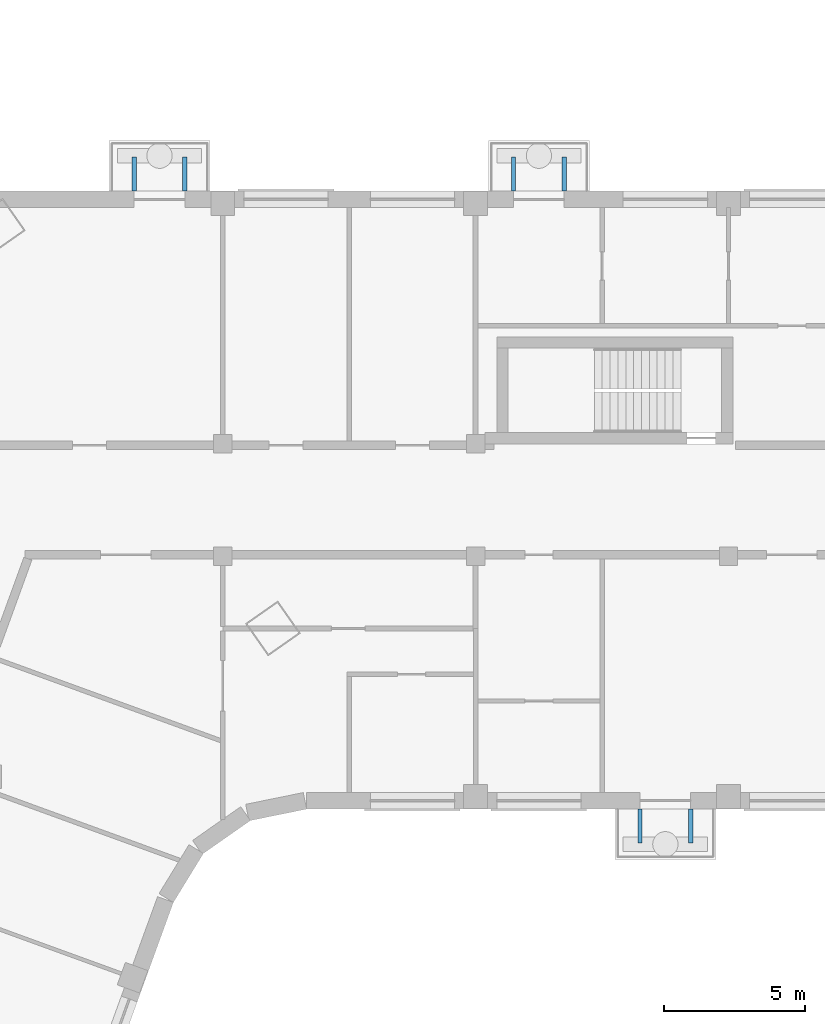
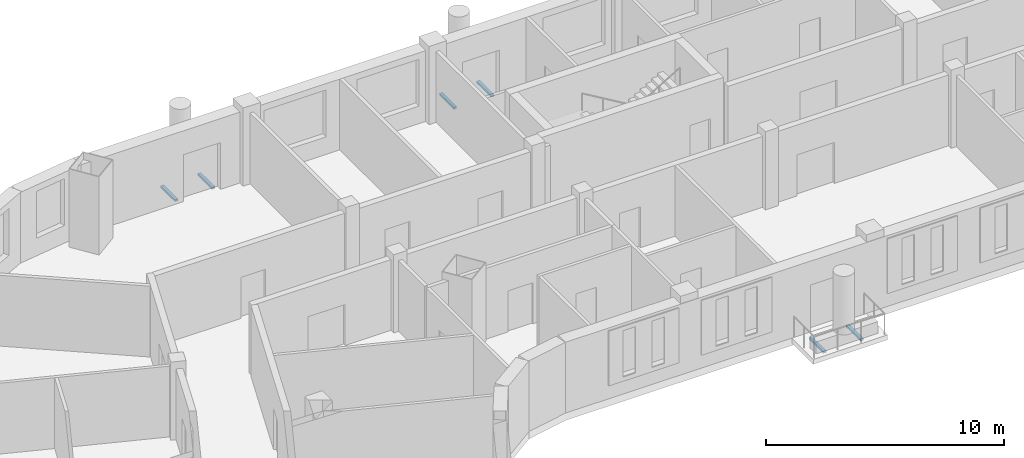
# One storey, part 10 of 13: 6 discrete accessories.
"""IFC4 building model written with IfcOpenShell, lengths in metres."""

from ifc_helpers import new_model, si_unit, direction, frame, origin, origin_2d, place, context, subcontext, project, spatial, rectangle, extrude, element, save


model = new_model("IFC4")

# Units and contexts
model_context = context("Model", 3, precision=1e-05, world=origin(), true_north=direction((0.0, 1.0)))
body_context = subcontext(model_context, "Body", "Model", "MODEL_VIEW")
ifc_project = project(units=[si_unit("LENGTHUNIT", "METRE"), si_unit("AREAUNIT", "SQUARE_METRE"), si_unit("VOLUMEUNIT", "CUBIC_METRE"), si_unit("PLANEANGLEUNIT", "RADIAN"), si_unit("MASSUNIT", "GRAM", prefix="KILO")], contexts=[model_context])

# Site, building, storey
site_placement = place(None, origin())
site = spatial("IfcSite", under=ifc_project, at=site_placement, CompositionType="ELEMENT")
building_placement = place(site_placement, origin())
building = spatial("IfcBuilding", under=site, at=building_placement, Name="Skarvind Civic Tower", CompositionType="ELEMENT")
storey_placement = place(building_placement, frame((0.0, 0.0, 93.0)))
storey = spatial("IfcBuildingStorey", under=building, at=storey_placement, Name="L21", CompositionType="ELEMENT", Elevation=93.0)

# Discrete accessories
for number, where, z_axis, x_axis, name in (
    (1, (70.89990234375, 116.39990234375, -0.35009765625), (0.0, 0.0, 1.0), (-1.0, 0.0, 0.0), "TREE BALCONY BRACKET"),
    (2, (69.10009765625, 116.39990234375, -0.35009765625), (0.0, 0.0, 1.0), (-1.0, 0.0, 0.0), "TREE BALCONY BRACKET"),
    (3, (51.10009765625, 139.60009765625, -0.35009765625), (0.0, 0.0, 1.0), (1.0, 0.0, 0.0), "TREE BALCONY BRACKET"),
    (4, (52.89990234375, 139.60009765625, -0.35009765625), (0.0, 0.0, 1.0), (1.0, 0.0, 0.0), "TREE BALCONY BRACKET"),
    (5, (64.60009765625, 139.60009765625, -0.35009765625), (0.0, 0.0, 1.0), (1.0, 0.0, 0.0), "TREE BALCONY BRACKET"),
    (6, (66.39990234375, 139.60009765625, -0.35009765625), (0.0, 0.0, 1.0), (1.0, 0.0, 0.0), "TREE BALCONY BRACKET"),
):
    element("IfcDiscreteAccessory", number, at=place(storey_placement, frame(where, z_axis=z_axis, x_axis=x_axis)), inside=storey, Name=name, PredefinedType="BRACKET", context=body_context, shape_type="SweptSolid", body=[
        extrude(rectangle(XDim=0.14990234375, YDim=1.199951171875, at=origin_2d()), origin(), (0.0, 0.0, 1.0), 0.10009765625),
    ])

save(model, "model.ifc")
